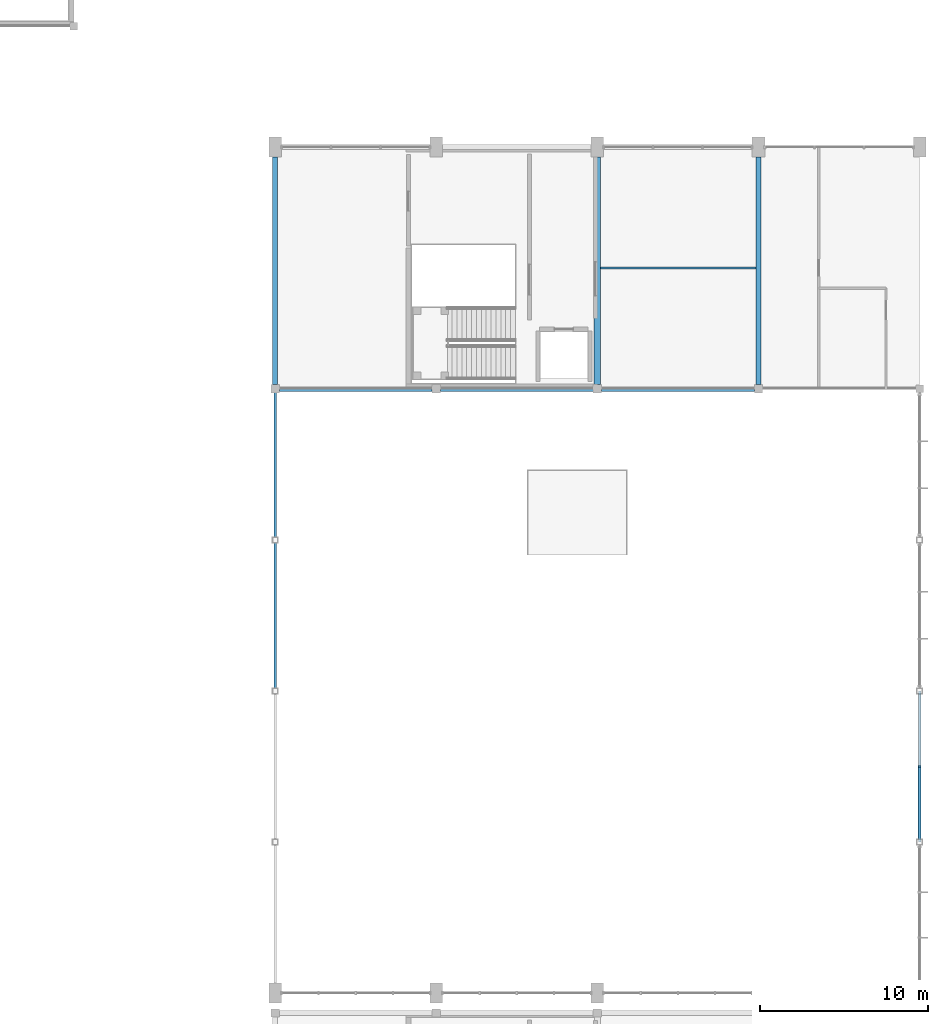
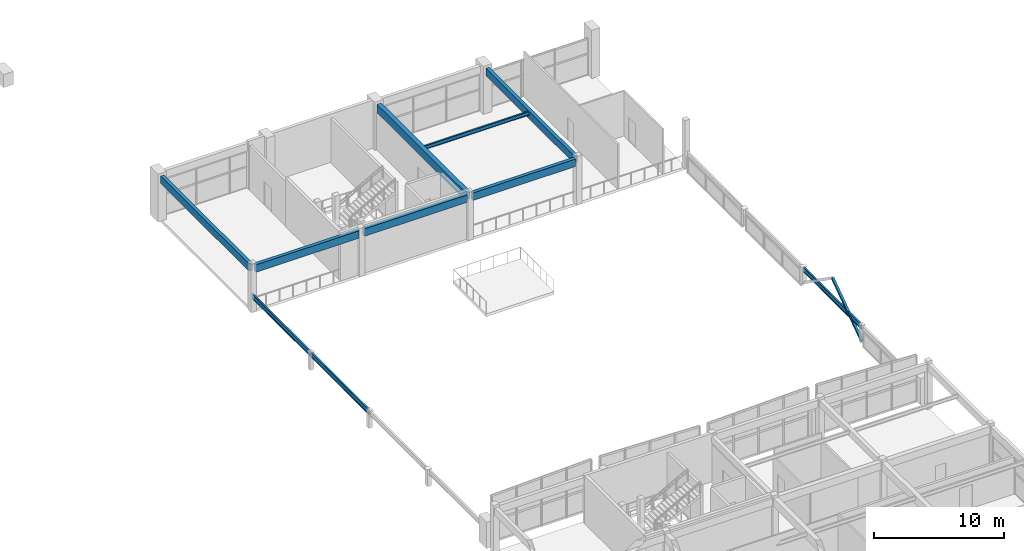
# One storey, part 42 of 89: 10 beams, 1 member.
"""IFC4 building model written with IfcOpenShell, lengths in metres."""

from ifc_helpers import new_model, si_unit, direction, frame, origin, origin_2d, place, context, subcontext, project, spatial, rectangle, hollow_rectangle, i_section, extrude, material, material_profile, profile_set, type_object, element, save


model = new_model("IFC4")

# Units and contexts
model_context = context("Model", 3, precision=1e-05, world=origin(), true_north=direction((0.0, 1.0)))
body_context = subcontext(model_context, "Body", "Model", "MODEL_VIEW")
ifc_project = project(units=[si_unit("LENGTHUNIT", "METRE"), si_unit("AREAUNIT", "SQUARE_METRE"), si_unit("VOLUMEUNIT", "CUBIC_METRE"), si_unit("PLANEANGLEUNIT", "RADIAN"), si_unit("MASSUNIT", "GRAM", prefix="KILO")], contexts=[model_context])

# Site, building, storey
site_placement = place(None, origin())
site = spatial("IfcSite", under=ifc_project, at=site_placement, CompositionType="ELEMENT")
building_placement = place(site_placement, origin())
building = spatial("IfcBuilding", under=site, at=building_placement, Name="Suirenkawa Promenade Aquatics Centre", CompositionType="ELEMENT")
storey_placement = place(building_placement, frame((0.0, 0.0, 9.60009765625)))
storey = spatial("IfcBuildingStorey", under=building, at=storey_placement, Name="L02", CompositionType="ELEMENT", Elevation=9.60009765625)

# Beams
ifc_material_1 = material(Name="Steel IS 2062 E350 (Grade 350)", Category="steel")
ifc_material_profile_1 = material_profile(ifc_material_1, i_section(OverallWidth=0.139892578125, OverallDepth=0.35009765625, WebThickness=0.008056640625, FlangeThickness=0.013916015625, at=origin_2d()), Name="ISMB 350", Category="steel")
ifc_profile_set_1 = profile_set([ifc_material_profile_1], Name="Steel IS 2062 E350 (Grade 350)")
beam_type_1 = type_object("IfcBeamType", Name="BT-JOIST-ISMB350", PredefinedType="JOIST", material=ifc_profile_set_1)
beam_1_placement = place(storey_placement, frame((175.39404296875, 93.60009765625, 4.072998046875), z_axis=(1.0, 0.0, 0.0), x_axis=(0.0, 1.0, 0.0)))
element("IfcBeam", 1, at=beam_1_placement, inside=storey, type_object=beam_type_1, Name="Secondary floor joist JS-03 BM-1430", PredefinedType="JOIST", context=body_context, shape_type="SweptSolid", body=[
    extrude(i_section(OverallWidth=0.139892578125, OverallDepth=0.35009765625, WebThickness=0.008056640625, FlangeThickness=0.013916015625, at=origin_2d()), origin(), (0.0, 0.0, 1.0), 9.261962890625),
])
ifc_material_2 = material(Name="Concrete M40", Category="concrete")
ifc_material_profile_2 = material_profile(ifc_material_2, rectangle(XDim=0.39990234375, YDim=0.75, at=origin_2d()), Name="RC BM 400x750", Category="concrete")
ifc_profile_set_2 = profile_set([ifc_material_profile_2], Name="Concrete M40")
beam_type_2 = type_object("IfcBeamType", Name="BT-RC-400x750", PredefinedType="BEAM", material=ifc_profile_set_2)
beam_2_placement = place(storey_placement, frame((175.199951171875, 86.64404296875, 3.875), z_axis=(0.0, 1.0, 0.0), x_axis=(-1.0, 0.0, 0.0)))
element("IfcBeam", 2, at=beam_2_placement, inside=storey, type_object=beam_type_2, Name="Floor beam BM-05 BM-1428", PredefinedType="BEAM", context=body_context, shape_type="SweptSolid", body=[
    extrude(rectangle(XDim=0.39990234375, YDim=0.75, at=origin_2d()), origin(), (0.0, 0.0, 1.0), 13.56201171875),
])
ifc_material_profile_3 = material_profile(ifc_material_2, rectangle(XDim=0.300048828125, YDim=0.699951171875, at=origin_2d()), Name="RC SPANDREL 300x700", Category="concrete")
ifc_profile_set_3 = profile_set([ifc_material_profile_3], Name="Concrete M40")
beam_type_3 = type_object("IfcBeamType", Name="BT-SPANDREL-300x700", PredefinedType="SPANDREL", material=ifc_profile_set_3)
for number, where, z_axis, x_axis, name in (
    (3, (156.243896484375, 86.39990234375, 3.89990234375), (1.0, 0.0, 0.0), (0.0, 1.0, 0.0), "Floor beam SP-01 BM-1421"),
    (4, (165.843994140625, 86.39990234375, 3.89990234375), (1.0, 0.0, 0.0), (0.0, 1.0, 0.0), "Floor beam SP-01 BM-1422"),
):
    element("IfcBeam", number, at=place(storey_placement, frame(where, z_axis=z_axis, x_axis=x_axis)), inside=storey, type_object=beam_type_3, Name=name, PredefinedType="SPANDREL", context=body_context, shape_type="SweptSolid", body=[
        extrude(rectangle(XDim=0.300048828125, YDim=0.699951171875, at=origin_2d()), origin(), (0.0, 0.0, 1.0), 9.112060546875),
    ])
beam_3_placement = place(storey_placement, frame((175.444091796875, 86.39990234375, 3.89990234375), z_axis=(1.0, 0.0, 0.0), x_axis=(0.0, 1.0, 0.0)))
element("IfcBeam", 5, at=beam_3_placement, inside=storey, type_object=beam_type_3, Name="Floor beam SP-01 BM-1423", PredefinedType="SPANDREL", context=body_context, shape_type="SweptSolid", body=[
    extrude(rectangle(XDim=0.300048828125, YDim=0.699951171875, at=origin_2d()), origin(), (0.0, 0.0, 1.0), 9.11181640625),
])
for number, where, z_axis, x_axis, name in (
    (6, (156.0, 86.64404296875, 3.89990234375), (0.0, 1.0, 0.0), (-1.0, 0.0, 0.0), "Floor beam SP-01 BM-1427"),
    (7, (184.800048828125, 86.64404296875, 3.89990234375), (0.0, 1.0, 0.0), (-1.0, 0.0, 0.0), "Floor beam SP-01 BM-1429"),
):
    element("IfcBeam", number, at=place(storey_placement, frame(where, z_axis=z_axis, x_axis=x_axis)), inside=storey, type_object=beam_type_3, Name=name, PredefinedType="SPANDREL", context=body_context, shape_type="SweptSolid", body=[
        extrude(rectangle(XDim=0.300048828125, YDim=0.699951171875, at=origin_2d()), origin(), (0.0, 0.0, 1.0), 13.56201171875),
    ])
ifc_material_profile_4 = material_profile(ifc_material_1, i_section(OverallWidth=0.14990234375, OverallDepth=0.449951171875, WebThickness=0.009033203125, FlangeThickness=0.01708984375, at=origin_2d()), Name="ISMB 450", Category="steel")
ifc_profile_set_4 = profile_set([ifc_material_profile_4], Name="Steel IS 2062 E350 (Grade 350)")
beam_type_4 = type_object("IfcBeamType", Name="BT-STL-ISMB450", PredefinedType="BEAM", material=ifc_profile_set_4)
for number, where, z_axis, x_axis, name in (
    (8, (156.0, 68.39990234375, 1.375), (0.0, 1.0, 0.0), (-1.0, 0.0, 0.0), "Diving hall wind girt BM-08 BM-1355"),
    (9, (156.0, 77.39990234375, 1.375), (0.0, 1.0, 0.0), (-1.0, 0.0, 0.0), "Diving hall wind girt BM-08 BM-1356"),
    (10, (194.39990234375, 59.39990234375, 1.375), (0.0, 1.0, 0.0), (-1.0, 0.0, 0.0), "Diving hall wind girt BM-08 BM-1366"),
):
    element("IfcBeam", number, at=place(storey_placement, frame(where, z_axis=z_axis, x_axis=x_axis)), inside=storey, type_object=beam_type_4, Name=name, PredefinedType="BEAM", context=body_context, shape_type="SweptSolid", body=[
        extrude(i_section(OverallWidth=0.14990234375, OverallDepth=0.449951171875, WebThickness=0.009033203125, FlangeThickness=0.01708984375, at=origin_2d()), origin(), (0.0, 0.0, 1.0), 9.0),
    ])

# Member
ifc_material_profile_5 = material_profile(ifc_material_1, hollow_rectangle(XDim=0.199951171875, YDim=0.199951171875, WallThickness=0.010009765625, at=origin_2d()), Name="SHS 200x200x10", Category="steel")
ifc_profile_set_5 = profile_set([ifc_material_profile_5], Name="Steel IS 2062 E350 (Grade 350)")
member_type = type_object("IfcMemberType", Name="MT-BRACE-SHS200", PredefinedType="BRACE", material=ifc_profile_set_5)
member_placement = place(storey_placement, frame((194.39990234375, 59.39990234375, 0.0498046875), z_axis=(0.0, 0.817089470891, 0.576510881561), x_axis=(-1.0, 0.0, 0.0)))
element("IfcMember", 11, at=member_placement, inside=storey, type_object=member_type, Name="ROOF TRUSS Vertical chevron brace BF-01 MB-2917", PredefinedType="BRACE", context=body_context, shape_type="SweptSolid", body=[
    extrude(hollow_rectangle(XDim=0.199951171875, YDim=0.199951171875, WallThickness=0.010009765625, at=origin_2d()), origin(), (0.0, 0.0, 1.0), 5.50732421875),
])

save(model, "model.ifc")
